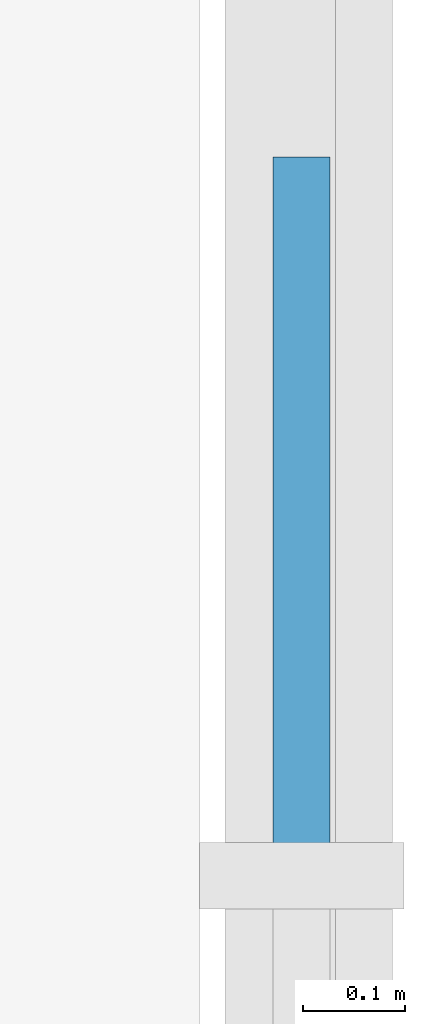
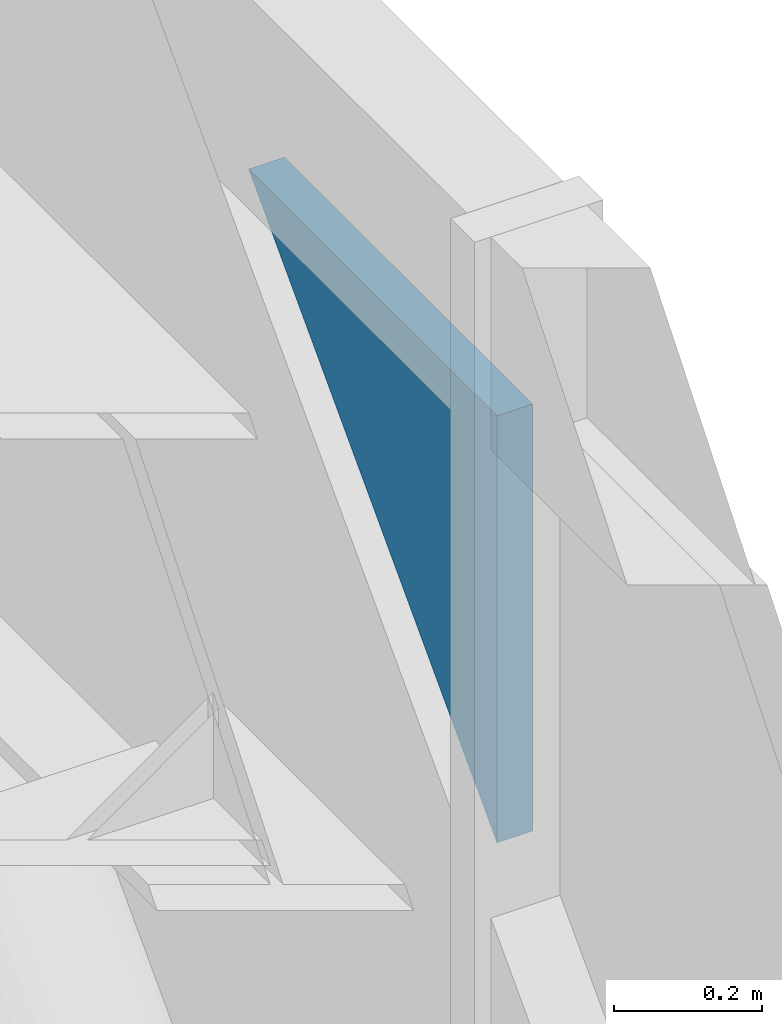
# One storey, part 12 of 17: 1 plate, 1 element without a shape of its own.
"""IFC4 building model written with IfcOpenShell, lengths in metres."""

from ifc_helpers import new_model, si_unit, direction, frame, origin, place, context, subcontext, project, spatial, polyline, outline, extrude, material, layer, layer_set, type_object, element, aggregate, save


model = new_model("IFC4")

# Units and contexts
model_context = context("Model", 3, precision=1e-05, world=origin(), true_north=direction((0.0, 1.0)))
body_context = subcontext(model_context, "Body", "Model", "MODEL_VIEW")
ifc_project = project(units=[si_unit("LENGTHUNIT", "METRE"), si_unit("AREAUNIT", "SQUARE_METRE"), si_unit("VOLUMEUNIT", "CUBIC_METRE"), si_unit("PLANEANGLEUNIT", "RADIAN"), si_unit("MASSUNIT", "GRAM", prefix="KILO")], contexts=[model_context])

# Site, building, storey
site_placement = place(None, origin())
site = spatial("IfcSite", under=ifc_project, at=site_placement, CompositionType="ELEMENT")
building_placement = place(site_placement, origin())
building = spatial("IfcBuilding", under=site, at=building_placement, Name="Rheinbord Bourse Tower", CompositionType="ELEMENT")
storey_placement = place(building_placement, frame((0.0, 0.0, 304.699951171875)))
storey = spatial("IfcBuildingStorey", under=building, at=storey_placement, Name="L69", CompositionType="ELEMENT", Elevation=304.699951171875)

# Curtain wall, plate
ifc_material_1 = material(Name="Dark glass and black aluminium", Category="aluminium")
curtain_wall_type = type_object("IfcCurtainWallType", Name="CW3 DARK GLASS CURTAIN WALL", PredefinedType="USERDEFINED", material=ifc_material_1)
curtain_wall_placement = place(storey_placement, origin())
curtain_wall = element("IfcCurtainWall", 1, at=curtain_wall_placement, inside=storey, type_object=curtain_wall_type, Name="Curtain wall CW3 E L69", ObjectType="UNITISED CURTAIN WALL", PredefinedType="USERDEFINED")
ifc_material_2 = material(Name="Dark tinted triple insulating glass", Category="glass")
ifc_layer = layer(ifc_material_2, 0.055908203125)
ifc_layer_set = layer_set([ifc_layer], Name="CW3 DARK GLASS PANEL")
plate_type = type_object("IfcPlateType", Name="CW3 DARK GLASS PANEL", PredefinedType="CURTAIN_PANEL", material=ifc_layer_set)
plate_placement = place(storey_placement, frame((70.3779296875, 14.23193359375, 3.85009765625), z_axis=(-1.0, 0.0, 0.0), x_axis=(0.0, 1.0, 0.0)))
plate = element("IfcPlate", 2, at=plate_placement, type_object=plate_type, Name="CW3 glass facet 1", PredefinedType="CURTAIN_PANEL", context=body_context, shape_type="SweptSolid", body=[
    extrude(outline(polyline([(0.0, 0.0), (0.670166015625, 0.0), (0.0, 0.703125), (0.0, 0.0)])), origin(), (0.0, 0.0, 1.0), 0.055908203125),
])
aggregate(curtain_wall, [plate])

save(model, "model.ifc")
